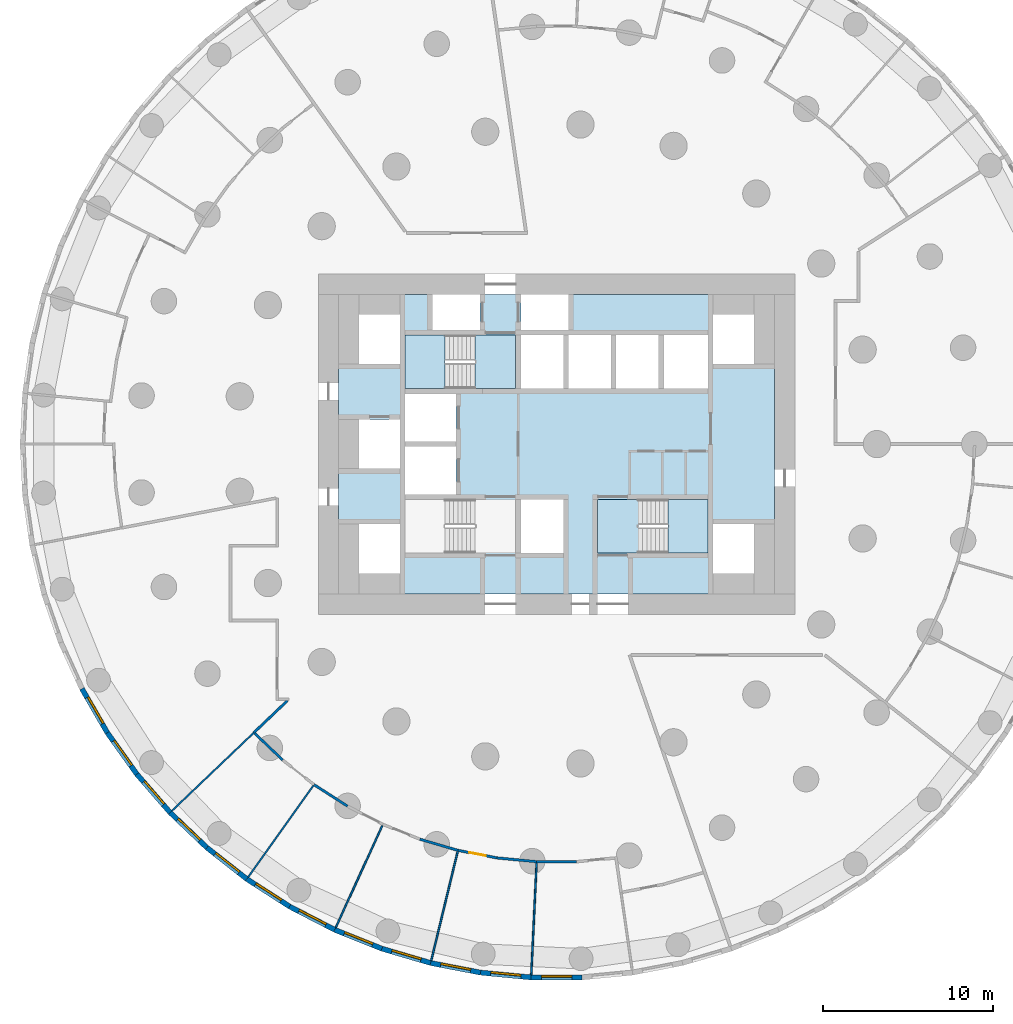
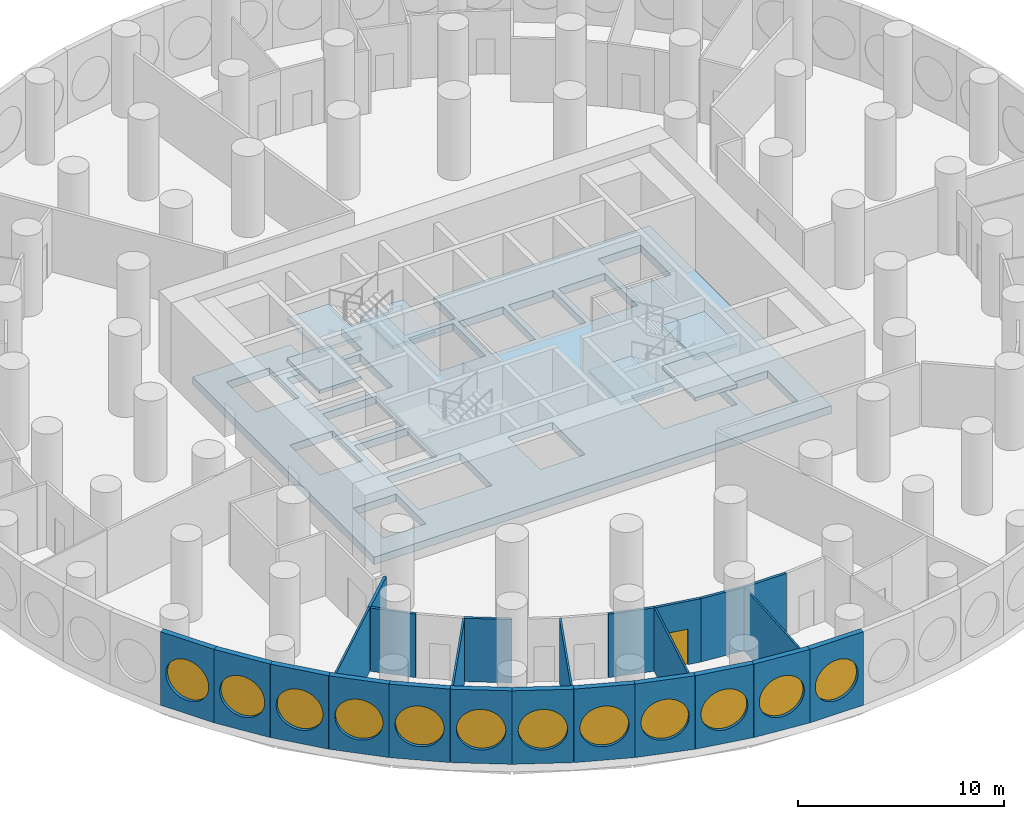
# One storey, part 2 of 11: 24 walls, 12 windows, 7 slabs, 1 door, 13 openings, 2 elements without a shape of their own.
"""IFC4 building model written with IfcOpenShell, lengths in metres."""

import ifcopenshell
import ifcopenshell.guid

model = None  # the IFC model being written
_history = None  # IfcOwnerHistory: only IFC2X3 demands one
_inside = {}  # id of a spatial element -> (the spatial element, [elements in it])
_under = {}  # id of a project, library or spatial element -> (it, [spatial elements below it])
_declared = {}  # id of a project -> (the project, [libraries it declares])
_typed = {}  # id of a type object -> (the type object, [elements of that type])
_made_of = {}  # id of a material, layer set ... -> (it, [elements and type objects made of it])


def new_model(schema):
    """Start an empty IFC model of exactly this schema.

    Asked for "IFC4X3", IfcOpenShell would pick the latest addendum, in which some entities
    have other attributes; the version numbers below select the first issue.
    IFC2X3 requires an IfcOwnerHistory on every rooted entity: one is made here for all.
    """
    global model, _history
    if schema == "IFC4X3":
        model = ifcopenshell.file(schema_version=(4, 3, 0, 0))
    else:
        model = ifcopenshell.file(schema=schema)
    _inside.clear()
    _under.clear()
    _declared.clear()
    _typed.clear()
    _made_of.clear()
    _history = None
    if model.schema == "IFC2X3":
        org = make("IfcOrganization", Name="unknown")
        user = make(
            "IfcPersonAndOrganization",
            ThePerson=make("IfcPerson", FamilyName="unknown"),
            TheOrganization=org,
        )
        app = make(
            "IfcApplication",
            ApplicationDeveloper=org,
            Version="unknown",
            ApplicationFullName="unknown",
            ApplicationIdentifier="unknown",
        )
        _history = make(
            "IfcOwnerHistory",
            OwningUser=user,
            OwningApplication=app,
            ChangeAction="ADDED",
            CreationDate=0,
        )
    return model


def make(cls, **values):
    """One entity of the class cls with the attributes given. An attribute that is None is left unset."""
    return model.create_entity(
        cls, **{name: value for name, value in values.items() if value is not None}
    )


def rooted(cls, **values):
    """An entity with a GlobalId (a new one), such as an element, a storey or a relation."""
    return make(cls, GlobalId=ifcopenshell.guid.new(), OwnerHistory=_history, **values)


def si_unit(unit_type, name, prefix=None):
    """IfcSIUnit, for example si_unit("LENGTHUNIT", "METRE", prefix="MILLI")."""
    return make("IfcSIUnit", UnitType=unit_type, Prefix=prefix, Name=name)


def assignment(units):
    """IfcUnitAssignment: the units of a project."""
    return None if units is None else make("IfcUnitAssignment", Units=units)


def point(xyz):
    """IfcCartesianPoint."""
    return None if xyz is None else make("IfcCartesianPoint", Coordinates=xyz)


def direction(xyz):
    """IfcDirection."""
    return None if xyz is None else make("IfcDirection", DirectionRatios=xyz)


def frame(location, z_axis=None, x_axis=None):
    """IfcAxis2Placement3D, a coordinate frame: its origin and axes. An axis left out is left unset."""
    return make(
        "IfcAxis2Placement3D",
        Location=point(location),
        Axis=direction(z_axis),
        RefDirection=direction(x_axis),
    )


def frame_2d(location, x_axis=None):
    """IfcAxis2Placement2D, a coordinate frame in the plane: its origin and x axis."""
    return make(
        "IfcAxis2Placement2D", Location=point(location), RefDirection=direction(x_axis)
    )


def origin():
    """The frame at (0, 0, 0) with its axes left unset."""
    return frame((0.0, 0.0, 0.0))


def origin_2d():
    """The frame at (0, 0) in the plane with its x axis left unset."""
    return frame_2d((0.0, 0.0))


def place(relative_to, where):
    """IfcLocalPlacement: puts the frame where relative to a parent placement (None: the world)."""
    return make(
        "IfcLocalPlacement", PlacementRelTo=relative_to, RelativePlacement=where
    )


def context(
    kind, dimensions, precision=None, world=None, true_north=None, identifier=None
):
    """IfcGeometricRepresentationContext, for example the 3D "Model" context."""
    return make(
        "IfcGeometricRepresentationContext",
        ContextIdentifier=identifier,
        ContextType=kind,
        CoordinateSpaceDimension=dimensions,
        Precision=precision,
        WorldCoordinateSystem=world,
        TrueNorth=true_north,
    )


def subcontext(parent, identifier, kind, view, scale=None):
    """IfcGeometricRepresentationSubContext, for example "Body" below "Model"."""
    return make(
        "IfcGeometricRepresentationSubContext",
        ContextIdentifier=identifier,
        ContextType=kind,
        ParentContext=parent,
        TargetScale=scale,
        TargetView=view,
    )


def project(units=None, contexts=None):
    """IfcProject with its units and contexts."""
    return rooted(
        "IfcProject",
        Name="project",
        RepresentationContexts=contexts,
        UnitsInContext=assignment(units),
    )


def spatial(cls, under=None, at=None, **own):
    """A site, building, storey or space (cls), placed at a placement, below another one or the project."""
    s = rooted(cls, ObjectPlacement=at, **own)
    if under is not None:
        _under.setdefault(under.id(), (under, []))[1].append(s)
    return s


def polyline(points):
    """IfcPolyline through the points."""
    return make("IfcPolyline", Points=[point(p) for p in points])


def profile(cls, at=None, kind="AREA", **sizes):
    """A parametric profile (cls). Its sizes go by their IFC names, for example OverallWidth=200.0."""
    return make(cls, ProfileType=kind, Position=at, **sizes)


def rectangle(**sizes):
    """IfcRectangleProfileDef."""
    return profile("IfcRectangleProfileDef", **sizes)


def circle(**sizes):
    """IfcCircleProfileDef."""
    return profile("IfcCircleProfileDef", **sizes)


def outline(outer, holes=None, kind="AREA"):
    """IfcArbitraryClosedProfileDef: a profile drawn as a closed curve; with holes, ...WithVoids."""
    if holes is None:
        return make("IfcArbitraryClosedProfileDef", ProfileType=kind, OuterCurve=outer)
    return make(
        "IfcArbitraryProfileDefWithVoids",
        ProfileType=kind,
        OuterCurve=outer,
        InnerCurves=holes,
    )


def extrude(swept, where, along, depth):
    """IfcExtrudedAreaSolid: the profile swept, set in the frame where, extruded along a direction by depth."""
    return make(
        "IfcExtrudedAreaSolid",
        SweptArea=swept,
        Position=where,
        ExtrudedDirection=direction(along),
        Depth=depth,
    )


def shape(context_of_items, identifier, shape_type, items):
    """IfcShapeRepresentation: the items that make up one representation, for example the "Body"."""
    return make(
        "IfcShapeRepresentation",
        ContextOfItems=context_of_items,
        RepresentationIdentifier=identifier,
        RepresentationType=shape_type,
        Items=items,
    )


def material(Name=None, Category=None):
    """IfcMaterial."""
    return make("IfcMaterial", Name=Name, Category=Category)


def layer(
    of_material, thickness, ventilated=None, Name=None, Category=None, Priority=None
):
    """IfcMaterialLayer: one layer of a wall or slab, of a material (None: an air gap)."""
    return make(
        "IfcMaterialLayer",
        Material=of_material,
        LayerThickness=thickness,
        IsVentilated=ventilated,
        Name=Name,
        Category=Category,
        Priority=Priority,
    )


def layer_set(layers, Name=None):
    """IfcMaterialLayerSet."""
    return make("IfcMaterialLayerSet", MaterialLayers=layers, LayerSetName=Name)


def made_of(thing, what):
    """Note that an element or type object is made of a material, layer set ...; save() writes the relation."""
    if what is not None:
        _made_of.setdefault(what.id(), (what, []))[1].append(thing)
    return thing


def type_object(cls, material=None, **own):
    """A type object (cls), such as IfcWallType, which elements share."""
    return made_of(rooted(cls, **own), material)


def element(
    cls,
    number,
    at=None,
    inside=None,
    cuts=None,
    type_object=None,
    material=None,
    context=None,
    identifier="Body",
    shape_type=None,
    held_by="IfcProductDefinitionShape",
    body=None,
    shapes=None,
    **own,
):
    """One element of the class cls, such as IfcWall. Its Tag is "e" and its number.

    at: its placement. inside: the storey or other place that contains it. cuts: it is an
    opening in that element (IfcRelVoidsElement). A single representation is given by context,
    identifier, shape_type and body (its items); several are given by shapes. held_by: the class
    of the entity that holds the representations. save() writes the other relations.
    """
    e = rooted(cls, Tag="e%d" % number, ObjectPlacement=at, **own)
    if body is not None:
        shapes = [shape(context, identifier, shape_type, body)]
    if shapes is not None:
        e.Representation = make(held_by, Representations=shapes)
    if inside is not None:
        _inside.setdefault(inside.id(), (inside, []))[1].append(e)
    if cuts is not None:
        rooted(
            "IfcRelVoidsElement", RelatingBuildingElement=cuts, RelatedOpeningElement=e
        )
    if type_object is not None:
        _typed.setdefault(type_object.id(), (type_object, []))[1].append(e)
    return made_of(e, material)


def fill(opening, filler):
    """IfcRelFillsElement: the door or window that sits in an opening."""
    return rooted(
        "IfcRelFillsElement",
        RelatingOpeningElement=opening,
        RelatedBuildingElement=filler,
    )


def aggregate(whole, parts):
    """IfcRelAggregates: a whole, such as a stair, and the parts it consists of."""
    return rooted("IfcRelAggregates", RelatingObject=whole, RelatedObjects=parts)


def save(model, path):
    """Write the relations noted so far, then the file.

    IfcRelAggregates (storeys below a building ...), IfcRelContainedInSpatialStructure (elements
    in a storey), IfcRelDefinesByType, IfcRelAssociatesMaterial and IfcRelDeclares: one each for
    every whole, place, type object, material and project.
    """
    for whole, parts in _under.values():
        aggregate(whole, parts)
    for where, things in _inside.values():
        rooted(
            "IfcRelContainedInSpatialStructure",
            RelatedElements=things,
            RelatingStructure=where,
        )
    for kind, things in _typed.values():
        rooted("IfcRelDefinesByType", RelatedObjects=things, RelatingType=kind)
    for what, things in _made_of.values():
        rooted("IfcRelAssociatesMaterial", RelatedObjects=things, RelatingMaterial=what)
    for by, libraries in _declared.values():
        rooted("IfcRelDeclares", RelatingContext=by, RelatedDefinitions=libraries)
    model.write(path)


model = new_model("IFC4")

# Units and contexts
model_context = context("Model", 3, precision=1e-05, world=origin(), true_north=direction((0.0, 1.0)))
body_context = subcontext(model_context, "Body", "Model", "MODEL_VIEW")
ifc_project = project(units=[si_unit("LENGTHUNIT", "METRE"), si_unit("AREAUNIT", "SQUARE_METRE"), si_unit("VOLUMEUNIT", "CUBIC_METRE"), si_unit("PLANEANGLEUNIT", "RADIAN"), si_unit("MASSUNIT", "GRAM", prefix="KILO")], contexts=[model_context])

# Site, building, storey
site_placement = place(None, origin())
site = spatial("IfcSite", under=ifc_project, at=site_placement, CompositionType="ELEMENT")
building_placement = place(site_placement, origin())
building = spatial("IfcBuilding", under=site, at=building_placement, Name="Tracery Tower", CompositionType="ELEMENT")
storey_placement = place(building_placement, frame((0.0, 0.0, 9.0)))
storey = spatial("IfcBuildingStorey", under=building, at=storey_placement, Name="L01", CompositionType="ELEMENT", Elevation=9.0)

# Slab
ifc_material_1 = material(Name="Concrete C60/75", Category="concrete")
ifc_layer_1 = layer(ifc_material_1, 0.449951171875)
ifc_layer_set_1 = layer_set([ifc_layer_1], Name="Core floor slab 450 C60")
slab_type_1 = type_object("IfcSlabType", Name="Core floor slab 450 C60", PredefinedType="FLOOR", material=ifc_layer_set_1)
slab_1_placement = place(storey_placement, frame((0.0, 0.0, -0.449951171875)))
element("IfcSlab", 1, at=slab_1_placement, inside=storey, type_object=slab_type_1, Name="L01 core floor 1", PredefinedType="FLOOR", context=body_context, shape_type="SweptSolid", body=[
    extrude(outline(polyline([(-12.800048828125, 8.800048828125), (-7.300048828125, 8.800048828125), (-7.300048828125, 6.699951171875), (-4.5, 6.699951171875), (-4.5, 8.800048828125), (-2.10009765625, 8.800048828125), (-2.10009765625, 6.699951171875), (0.699951171875, 6.699951171875), (0.699951171875, 8.800048828125), (12.800048828125, 8.800048828125), (12.800048828125, -8.800048828125), (-12.800048828125, -8.800048828125), (-12.800048828125, 8.800048828125)]), holes=[polyline([(11.60009765625, -7.60009765625), (11.60009765625, -4.699951171875), (9.199951171875, -4.699951171875), (9.199951171875, -7.60009765625), (11.60009765625, -7.60009765625)]), polyline([(11.60009765625, 4.699951171875), (11.60009765625, 7.60009765625), (9.199951171875, 7.60009765625), (9.199951171875, 4.699951171875), (11.60009765625, 4.699951171875)]), polyline([(4.800537109375, -3.25), (4.800537109375, -6.39990234375), (8.89990234375, -6.39990234375), (8.89990234375, -3.25), (4.800537109375, -3.25)]), polyline([(6.300048828125, 3.25), (8.89990234375, 3.25), (8.89990234375, 6.39990234375), (6.300048828125, 6.39990234375), (6.300048828125, 3.25)]), polyline([(3.5, 3.25), (6.0, 3.25), (6.0, 6.39990234375), (3.5, 6.39990234375), (3.5, 3.25)]), polyline([(3.199951171875, 3.25), (3.199951171875, 6.39990234375), (0.699951171875, 6.39990234375), (0.699951171875, 3.25), (3.199951171875, 3.25)]), polyline([(-2.10009765625, 3.25), (0.39990234375, 3.25), (0.39990234375, 6.39990234375), (-2.10009765625, 6.39990234375), (-2.10009765625, 3.25)]), polyline([(0.39990234375, -6.39990234375), (0.39990234375, -3.25), (-2.10009765625, -3.25), (-2.10009765625, -6.39990234375), (0.39990234375, -6.39990234375)]), polyline([(-4.800537109375, -3.25), (-8.89990234375, -3.25), (-8.89990234375, -6.39990234375), (-4.800537109375, -6.39990234375), (-4.800537109375, -3.25)]), polyline([(-4.800537109375, 6.39990234375), (-8.89990234375, 6.39990234375), (-8.89990234375, 3.25), (-4.800537109375, 3.25), (-4.800537109375, 6.39990234375)]), polyline([(-8.89990234375, -2.949951171875), (-5.89990234375, -2.949951171875), (-5.89990234375, -0.14990234375), (-8.89990234375, -0.14990234375), (-8.89990234375, -2.949951171875)]), polyline([(-5.89990234375, 0.14990234375), (-5.89990234375, 2.949951171875), (-8.89990234375, 2.949951171875), (-8.89990234375, 0.14990234375), (-5.89990234375, 0.14990234375)]), polyline([(-11.60009765625, 4.699951171875), (-9.199951171875, 4.699951171875), (-9.199951171875, 7.60009765625), (-11.60009765625, 7.60009765625), (-11.60009765625, 4.699951171875)]), polyline([(-9.199951171875, -7.60009765625), (-9.199951171875, -4.699951171875), (-11.60009765625, -4.699951171875), (-11.60009765625, -7.60009765625), (-9.199951171875, -7.60009765625)]), polyline([(-9.199951171875, -1.449951171875), (-9.199951171875, 1.449951171875), (-11.60009765625, 1.449951171875), (-11.60009765625, -1.449951171875), (-9.199951171875, -1.449951171875)])]), origin(), (0.0, 0.0, 1.0), 0.449951171875),
])

# Stair, slabs
ifc_material_2 = material(Name="Concrete C32/40", Category="concrete")
stair_type = type_object("IfcStairType", Name="Core stair 32 risers", PredefinedType="HALF_TURN_STAIR", material=ifc_material_2)
stair_1_placement = place(storey_placement, origin())
stair_1 = element("IfcStair", 2, at=stair_1_placement, inside=storey, type_object=stair_type, Name="L01 stair ST3", PredefinedType="HALF_TURN_STAIR")
ifc_material_3 = material(Name="Concrete C32/40", Category="concrete")
ifc_layer_2 = layer(ifc_material_3, 0.199951171875)
ifc_layer_set_2 = layer_set([ifc_layer_2], Name="Stair landing slab 200")
slab_type_2 = type_object("IfcSlabType", Name="Stair landing slab 200", PredefinedType="LANDING", material=ifc_layer_set_2)
slab_2_placement = place(storey_placement, frame((0.0, 0.0, 1.0)))
slab_2 = element("IfcSlab", 3, at=slab_2_placement, type_object=slab_type_2, Name="ST3 landing 1", PredefinedType="LANDING", context=body_context, shape_type="SweptSolid", body=[
    extrude(outline(polyline([(-6.54931640625, 6.39990234375), (-8.89990234375, 6.39990234375), (-8.89990234375, 3.25), (-6.54931640625, 3.25), (-6.54931640625, 6.39990234375)])), origin(), (0.0, 0.0, 1.0), 0.199951171875),
])
slab_3_placement = place(storey_placement, frame((0.0, 0.0, 2.199951171875)))
slab_3 = element("IfcSlab", 4, at=slab_3_placement, type_object=slab_type_2, Name="ST3 landing 2", PredefinedType="LANDING", context=body_context, shape_type="SweptSolid", body=[
    extrude(outline(polyline([(-2.39990234375, 6.39990234375), (-4.800537109375, 6.39990234375), (-4.800537109375, 3.25), (-2.39990234375, 3.25), (-2.39990234375, 6.39990234375)])), origin(), (0.0, 0.0, 1.0), 0.199951171875),
])
slab_4_placement = place(storey_placement, frame((0.0, 0.0, 3.39990234375)))
slab_4 = element("IfcSlab", 5, at=slab_4_placement, type_object=slab_type_2, Name="ST3 landing 3", PredefinedType="LANDING", context=body_context, shape_type="SweptSolid", body=[
    extrude(outline(polyline([(-6.54931640625, 6.39990234375), (-8.89990234375, 6.39990234375), (-8.89990234375, 3.25), (-6.54931640625, 3.25), (-6.54931640625, 6.39990234375)])), origin(), (0.0, 0.0, 1.0), 0.2001953125),
])
aggregate(stair_1, [slab_2, slab_3, slab_4])

stair_2_placement = place(storey_placement, origin())
stair_2 = element("IfcStair", 6, at=stair_2_placement, inside=storey, type_object=stair_type, Name="L01 stair ST2", PredefinedType="HALF_TURN_STAIR")
slab_5_placement = place(storey_placement, frame((0.0, 0.0, 1.0)))
slab_5 = element("IfcSlab", 7, at=slab_5_placement, type_object=slab_type_2, Name="ST2 landing 1", PredefinedType="LANDING", context=body_context, shape_type="SweptSolid", body=[
    extrude(outline(polyline([(6.54931640625, -6.39990234375), (8.89990234375, -6.39990234375), (8.89990234375, -3.25), (6.54931640625, -3.25), (6.54931640625, -6.39990234375)])), origin(), (0.0, 0.0, 1.0), 0.199951171875),
])
slab_6_placement = place(storey_placement, frame((0.0, 0.0, 2.199951171875)))
slab_6 = element("IfcSlab", 8, at=slab_6_placement, type_object=slab_type_2, Name="ST2 landing 2", PredefinedType="LANDING", context=body_context, shape_type="SweptSolid", body=[
    extrude(outline(polyline([(2.39990234375, -6.39990234375), (4.800537109375, -6.39990234375), (4.800537109375, -3.25), (2.39990234375, -3.25), (2.39990234375, -6.39990234375)])), origin(), (0.0, 0.0, 1.0), 0.199951171875),
])
slab_7_placement = place(storey_placement, frame((0.0, 0.0, 3.39990234375)))
slab_7 = element("IfcSlab", 9, at=slab_7_placement, type_object=slab_type_2, Name="ST2 landing 3", PredefinedType="LANDING", context=body_context, shape_type="SweptSolid", body=[
    extrude(outline(polyline([(6.54931640625, -6.39990234375), (8.89990234375, -6.39990234375), (8.89990234375, -3.25), (6.54931640625, -3.25), (6.54931640625, -6.39990234375)])), origin(), (0.0, 0.0, 1.0), 0.2001953125),
])
aggregate(stair_2, [slab_5, slab_6, slab_7])

# Walls
ifc_material_4 = material(Name="Plasterboard on steel studs", Category="steel")
ifc_layer_3 = layer(ifc_material_4, 0.14990234375)
ifc_layer_set_3 = layer_set([ifc_layer_3], Name="Corridor partition 150")
wall_type_1 = type_object("IfcWallType", Name="Corridor partition 150", PredefinedType="PARTITIONING", material=ifc_layer_set_3)
wall_1_placement = place(storey_placement, frame((-17.7255859375, -17.0048828125, 0.0), z_axis=(0.0, 0.0, 1.0), x_axis=(0.723737544967, -0.690075333573, 0.0)))
element("IfcWall", 10, at=wall_1_placement, inside=storey, type_object=wall_type_1, Name="Corridor partition 150", PredefinedType="PARTITIONING", context=body_context, shape_type="SweptSolid", body=[
    extrude(rectangle(XDim=2.262939453125, YDim=0.14990234375, at=frame_2d((1.13134765625, 0.0))), origin(), (0.0, 0.0, 1.0), 3.75),
])
wall_2_placement = place(storey_placement, frame((-17.77978515625, -16.952880859375, 0.0), z_axis=(0.0, 0.0, 1.0), x_axis=(0.723749021552, 0.690063296954, 0.0)))
element("IfcWall", 11, at=wall_2_placement, inside=storey, type_object=wall_type_1, Name="Corridor partition 150", PredefinedType="PARTITIONING", context=body_context, shape_type="SweptSolid", body=[
    extrude(rectangle(XDim=2.7177734375, YDim=0.14990234375, at=frame_2d((1.35888671875, 0.0))), origin(), (0.0, 0.0, 1.0), 3.75),
])
wall_3_placement = place(storey_placement, frame((-14.25, -20.011474609375, 0.0), z_axis=(0.0, 0.0, 1.0), x_axis=(0.841236155743, -0.540667855777, 0.0)))
element("IfcWall", 12, at=wall_3_placement, inside=storey, type_object=wall_type_1, Name="Corridor partition 150", PredefinedType="PARTITIONING", context=body_context, shape_type="SweptSolid", body=[
    extrude(rectangle(XDim=2.337646484375, YDim=0.14990234375, at=frame_2d((1.1689453125, 0.0))), origin(), (0.0, 0.0, 1.0), 3.75),
])
wall_4_placement = place(storey_placement, frame((-8.034912109375, -23.215576171875, 0.0), z_axis=(0.0, 0.0, 1.0), x_axis=(0.959488462959, -0.28174791827, 0.0)))
element("IfcWall", 13, at=wall_4_placement, inside=storey, type_object=wall_type_1, Name="Corridor partition 150", PredefinedType="PARTITIONING", context=body_context, shape_type="SweptSolid", body=[
    extrude(rectangle(XDim=2.337890625, YDim=0.14990234375, at=frame_2d((1.1689453125, 0.0))), origin(), (0.0, 0.0, 1.0), 3.75),
])

# Wall, opening, door
wall_5_placement = place(storey_placement, frame((-3.49609375, -24.316650390625, 0.0), z_axis=(0.0, 0.0, 1.0), x_axis=(-0.981934124814, 0.189223081374, 0.0)))
wall_5 = element("IfcWall", 14, at=wall_5_placement, inside=storey, type_object=wall_type_1, Name="Corridor partition 150", PredefinedType="PARTITIONING", context=body_context, shape_type="SweptSolid", body=[
    extrude(rectangle(XDim=2.337890625, YDim=0.14990234375, at=frame_2d((1.1689453125, 0.0))), origin(), (0.0, 0.0, 1.0), 3.75),
])
opening_1_placement = place(wall_5_placement, frame((0.6689453125, 0.0, 0.0)))
opening_1 = element("IfcOpeningElement", 15, at=opening_1_placement, cuts=wall_5, Name="Opening SB-L01-21", PredefinedType="OPENING", context=body_context, shape_type="SweptSolid", body=[
    extrude(rectangle(XDim=1.0, YDim=2.10009765625, at=frame_2d((0.5, 1.050048828125))), frame((0.0, 0.074951171875, 0.0), z_axis=(0.0, -1.0, 0.0), x_axis=(1.0, 0.0, 0.0)), (0.0, 0.0, 1.0), 0.14990234375),
])
ifc_material_5 = material(Name="Timber door leaf", Category="wood")
door_type = type_object("IfcDoorType", Name="Public room door 1000", OperationType="NOTDEFINED", PredefinedType="DOOR", material=ifc_material_5)
door_placement = place(opening_1_placement, origin())
door = element("IfcDoor", 16, at=door_placement, inside=storey, type_object=door_type, Name="Public room door 1000", OperationType="SINGLE_SWING_RIGHT", OverallHeight=2.10009765625, OverallWidth=1.0, PredefinedType="DOOR", context=body_context, shape_type="SweptSolid", body=[
    extrude(rectangle(XDim=1.0, YDim=2.10009765625, at=frame_2d((0.5, 1.050048828125))), frame((0.0, 0.02490234375, 0.0), z_axis=(0.0, -1.0, 0.0), x_axis=(1.0, 0.0, 0.0)), (0.0, 0.0, 1.0), 0.050048828125),
])
fill(opening_1, door)

# Walls
wall_6_placement = place(storey_placement, frame((-3.49609375, -24.316650390625, 0.0), z_axis=(0.0, 0.0, 1.0), x_axis=(0.995473855736, -0.095035796131, 0.0)))
element("IfcWall", 17, at=wall_6_placement, inside=storey, type_object=wall_type_1, Name="Corridor partition 150", PredefinedType="PARTITIONING", context=body_context, shape_type="SweptSolid", body=[
    extrude(rectangle(XDim=2.337646484375, YDim=0.14990234375, at=frame_2d((1.1689453125, 0.0))), origin(), (0.0, 0.0, 1.0), 3.75),
])
wall_7_placement = place(storey_placement, frame((-1.1689453125, -24.538818359375, 0.0), z_axis=(0.0, 0.0, 1.0), x_axis=(1.0, 0.0, 0.0)))
element("IfcWall", 18, at=wall_7_placement, inside=storey, type_object=wall_type_1, Name="Corridor partition 150", PredefinedType="PARTITIONING", context=body_context, shape_type="SweptSolid", body=[
    extrude(rectangle(XDim=2.337890625, YDim=0.14990234375, at=frame_2d((1.1689453125, 0.0))), origin(), (0.0, 0.0, 1.0), 3.75),
])

# Wall, opening, window
ifc_material_6 = material(Name="Precast concrete C50/60", Category="concrete")
ifc_layer_4 = layer(ifc_material_6, 0.300048828125)
ifc_layer_set_4 = layer_set([ifc_layer_4], Name="Facade panel 3000 x 4350")
wall_type_2 = type_object("IfcWallType", Name="Facade panel 3000 x 4350", PredefinedType="SOLIDWALL", material=ifc_layer_set_4)
wall_8_placement = place(storey_placement, frame((-27.88671875, -14.376708984375, 0.0), z_axis=(0.0, 0.0, 1.0), x_axis=(0.500017373705, -0.866015372839, 0.0)))
wall_8 = element("IfcWall", 19, at=wall_8_placement, inside=storey, type_object=wall_type_2, Name="Facade panel 39 at L01", PredefinedType="SOLIDWALL", context=body_context, shape_type="SweptSolid", body=[
    extrude(rectangle(XDim=2.98583984375, YDim=0.300048828125, at=frame_2d((1.492919921875, 0.0))), origin(), (0.0, 0.0, 1.0), 4.35009765625),
])
opening_2_placement = place(wall_8_placement, frame((1.492919921875, 0.0, 2.0)))
opening_2 = element("IfcOpeningElement", 20, at=opening_2_placement, cuts=wall_8, Name="Opening WN2", PredefinedType="OPENING", context=body_context, shape_type="SweptSolid", body=[
    extrude(circle(Radius=1.199951171875, at=origin_2d()), frame((0.0, 0.159912109375, 0.0), z_axis=(0.0, -1.0, 0.0), x_axis=(1.0, 0.0, 0.0)), (0.0, 0.0, 1.0), 0.320068359375),
])
ifc_material_7 = material(Name="Aluminium frame with tinted double glazing", Category="aluminium")
window_type = type_object("IfcWindowType", Name="Round window 2400", PartitioningType="SINGLE_PANEL", PredefinedType="WINDOW", material=ifc_material_7)
window_1_placement = place(opening_2_placement, origin())
window_1 = element("IfcWindow", 21, at=window_1_placement, inside=storey, type_object=window_type, Name="Round window 39 at L01", OverallHeight=2.39990234375, OverallWidth=2.39990234375, PartitioningType="SINGLE_PANEL", PredefinedType="WINDOW", context=body_context, shape_type="SweptSolid", body=[
    extrude(circle(Radius=1.199951171875, at=origin_2d()), frame((0.0, 0.1201171875, 0.0), z_axis=(0.0, -1.0, 0.0), x_axis=(1.0, 0.0, 0.0)), (0.0, 0.0, 1.0), 0.10009765625),
])
fill(opening_2, window_1)

wall_9_placement = place(storey_placement, frame((-26.393798828125, -16.96240234375, 0.0), z_axis=(0.0, 0.0, 1.0), x_axis=(0.580100533892, -0.814544885551, 0.0)))
wall_9 = element("IfcWall", 22, at=wall_9_placement, inside=storey, type_object=wall_type_2, Name="Facade panel 40 at L01", PredefinedType="SOLIDWALL", context=body_context, shape_type="SweptSolid", body=[
    extrude(rectangle(XDim=2.985595703125, YDim=0.300048828125, at=frame_2d((1.49267578125, 0.0))), origin(), (0.0, 0.0, 1.0), 4.35009765625),
])
opening_3_placement = place(wall_9_placement, frame((1.492919921875, 0.0, 2.0)))
opening_3 = element("IfcOpeningElement", 23, at=opening_3_placement, cuts=wall_9, Name="Opening WN2", PredefinedType="OPENING", context=body_context, shape_type="SweptSolid", body=[
    extrude(circle(Radius=1.199951171875, at=origin_2d()), frame((0.0, 0.159912109375, 0.0), z_axis=(0.0, -1.0, 0.0), x_axis=(1.0, 0.0, 0.0)), (0.0, 0.0, 1.0), 0.320068359375),
])
window_2_placement = place(opening_3_placement, origin())
window_2 = element("IfcWindow", 24, at=window_2_placement, inside=storey, type_object=window_type, Name="Round window 40 at L01", OverallHeight=2.39990234375, OverallWidth=2.39990234375, PartitioningType="SINGLE_PANEL", PredefinedType="WINDOW", context=body_context, shape_type="SweptSolid", body=[
    extrude(circle(Radius=1.199951171875, at=origin_2d()), frame((0.0, 0.1201171875, 0.0), z_axis=(0.0, -1.0, 0.0), x_axis=(1.0, 0.0, 0.0)), (0.0, 0.0, 1.0), 0.10009765625),
])
fill(opening_3, window_2)

wall_10_placement = place(storey_placement, frame((-24.661865234375, -19.394287109375, 0.0), z_axis=(0.0, 0.0, 1.0), x_axis=(0.654809121128, -0.755794294029, 0.0)))
wall_10 = element("IfcWall", 25, at=wall_10_placement, inside=storey, type_object=wall_type_2, Name="Facade panel 41 at L01", PredefinedType="SOLIDWALL", context=body_context, shape_type="SweptSolid", body=[
    extrude(rectangle(XDim=2.98583984375, YDim=0.300048828125, at=frame_2d((1.492919921875, 0.0))), origin(), (0.0, 0.0, 1.0), 4.35009765625),
])
opening_4_placement = place(wall_10_placement, frame((1.492919921875, 0.0, 2.0)))
opening_4 = element("IfcOpeningElement", 26, at=opening_4_placement, cuts=wall_10, Name="Opening WN2", PredefinedType="OPENING", context=body_context, shape_type="SweptSolid", body=[
    extrude(circle(Radius=1.199951171875, at=origin_2d()), frame((0.0, 0.159912109375, 0.0), z_axis=(0.0, -1.0, 0.0), x_axis=(1.0, 0.0, 0.0)), (0.0, 0.0, 1.0), 0.320068359375),
])
window_3_placement = place(opening_4_placement, origin())
window_3 = element("IfcWindow", 27, at=window_3_placement, inside=storey, type_object=window_type, Name="Round window 41 at L01", OverallHeight=2.39990234375, OverallWidth=2.39990234375, PartitioningType="SINGLE_PANEL", PredefinedType="WINDOW", context=body_context, shape_type="SweptSolid", body=[
    extrude(circle(Radius=1.199951171875, at=origin_2d()), frame((0.0, 0.1201171875, 0.0), z_axis=(0.0, -1.0, 0.0), x_axis=(1.0, 0.0, 0.0)), (0.0, 0.0, 1.0), 0.10009765625),
])
fill(opening_4, window_3)

wall_11_placement = place(storey_placement, frame((-22.706787109375, -21.65087890625, 0.0), z_axis=(0.0, 0.0, 1.0), x_axis=(0.723750841228, -0.690061388444, 0.0)))
wall_11 = element("IfcWall", 28, at=wall_11_placement, inside=storey, type_object=wall_type_2, Name="Facade panel 42 at L01", PredefinedType="SOLIDWALL", context=body_context, shape_type="SweptSolid", body=[
    extrude(rectangle(XDim=2.985595703125, YDim=0.300048828125, at=frame_2d((1.49267578125, 0.0))), origin(), (0.0, 0.0, 1.0), 4.35009765625),
])
opening_5_placement = place(wall_11_placement, frame((1.492919921875, 0.0, 2.0)))
opening_5 = element("IfcOpeningElement", 29, at=opening_5_placement, cuts=wall_11, Name="Opening WN2", PredefinedType="OPENING", context=body_context, shape_type="SweptSolid", body=[
    extrude(circle(Radius=1.199951171875, at=origin_2d()), frame((0.0, 0.159912109375, 0.0), z_axis=(0.0, -1.0, 0.0), x_axis=(1.0, 0.0, 0.0)), (0.0, 0.0, 1.0), 0.320068359375),
])
window_4_placement = place(opening_5_placement, origin())
window_4 = element("IfcWindow", 30, at=window_4_placement, inside=storey, type_object=window_type, Name="Round window 42 at L01", OverallHeight=2.39990234375, OverallWidth=2.39990234375, PartitioningType="SINGLE_PANEL", PredefinedType="WINDOW", context=body_context, shape_type="SweptSolid", body=[
    extrude(circle(Radius=1.199951171875, at=origin_2d()), frame((0.0, 0.1201171875, 0.0), z_axis=(0.0, -1.0, 0.0), x_axis=(1.0, 0.0, 0.0)), (0.0, 0.0, 1.0), 0.10009765625),
])
fill(opening_5, window_4)

wall_12_placement = place(storey_placement, frame((-20.5458984375, -23.711181640625, 0.0), z_axis=(0.0, 0.0, 1.0), x_axis=(0.786043032847, -0.618171780747, 0.0)))
wall_12 = element("IfcWall", 31, at=wall_12_placement, inside=storey, type_object=wall_type_2, Name="Facade panel 43 at L01", PredefinedType="SOLIDWALL", context=body_context, shape_type="SweptSolid", body=[
    extrude(rectangle(XDim=2.98583984375, YDim=0.300048828125, at=frame_2d((1.492919921875, 0.0))), origin(), (0.0, 0.0, 1.0), 4.35009765625),
])
opening_6_placement = place(wall_12_placement, frame((1.492919921875, 0.0, 2.0)))
opening_6 = element("IfcOpeningElement", 32, at=opening_6_placement, cuts=wall_12, Name="Opening WN2", PredefinedType="OPENING", context=body_context, shape_type="SweptSolid", body=[
    extrude(circle(Radius=1.199951171875, at=origin_2d()), frame((0.0, 0.159912109375, 0.0), z_axis=(0.0, -1.0, 0.0), x_axis=(1.0, 0.0, 0.0)), (0.0, 0.0, 1.0), 0.320068359375),
])
window_5_placement = place(opening_6_placement, origin())
window_5 = element("IfcWindow", 33, at=window_5_placement, inside=storey, type_object=window_type, Name="Round window 43 at L01", OverallHeight=2.39990234375, OverallWidth=2.39990234375, PartitioningType="SINGLE_PANEL", PredefinedType="WINDOW", context=body_context, shape_type="SweptSolid", body=[
    extrude(circle(Radius=1.199951171875, at=origin_2d()), frame((0.0, 0.1201171875, 0.0), z_axis=(0.0, -1.0, 0.0), x_axis=(1.0, 0.0, 0.0)), (0.0, 0.0, 1.0), 0.10009765625),
])
fill(opening_6, window_5)

wall_13_placement = place(storey_placement, frame((-18.198974609375, -25.556884765625, 0.0), z_axis=(0.0, 0.0, 1.0), x_axis=(0.841242231846, -0.540658401727, 0.0)))
wall_13 = element("IfcWall", 34, at=wall_13_placement, inside=storey, type_object=wall_type_2, Name="Facade panel 44 at L01", PredefinedType="SOLIDWALL", context=body_context, shape_type="SweptSolid", body=[
    extrude(rectangle(XDim=2.98583984375, YDim=0.300048828125, at=frame_2d((1.492919921875, 0.0))), origin(), (0.0, 0.0, 1.0), 4.35009765625),
])
opening_7_placement = place(wall_13_placement, frame((1.492919921875, 0.0, 2.0)))
opening_7 = element("IfcOpeningElement", 35, at=opening_7_placement, cuts=wall_13, Name="Opening WN2", PredefinedType="OPENING", context=body_context, shape_type="SweptSolid", body=[
    extrude(circle(Radius=1.199951171875, at=origin_2d()), frame((0.0, 0.159912109375, 0.0), z_axis=(0.0, -1.0, 0.0), x_axis=(1.0, 0.0, 0.0)), (0.0, 0.0, 1.0), 0.320068359375),
])
window_6_placement = place(opening_7_placement, origin())
window_6 = element("IfcWindow", 36, at=window_6_placement, inside=storey, type_object=window_type, Name="Round window 44 at L01", OverallHeight=2.39990234375, OverallWidth=2.39990234375, PartitioningType="SINGLE_PANEL", PredefinedType="WINDOW", context=body_context, shape_type="SweptSolid", body=[
    extrude(circle(Radius=1.199951171875, at=origin_2d()), frame((0.0, 0.1201171875, 0.0), z_axis=(0.0, -1.0, 0.0), x_axis=(1.0, 0.0, 0.0)), (0.0, 0.0, 1.0), 0.10009765625),
])
fill(opening_7, window_6)

wall_14_placement = place(storey_placement, frame((-15.687255859375, -27.171142578125, 0.0), z_axis=(0.0, 0.0, 1.0), x_axis=(0.888831268481, -0.458234630043, 0.0)))
wall_14 = element("IfcWall", 37, at=wall_14_placement, inside=storey, type_object=wall_type_2, Name="Facade panel 45 at L01", PredefinedType="SOLIDWALL", context=body_context, shape_type="SweptSolid", body=[
    extrude(rectangle(XDim=2.98583984375, YDim=0.300048828125, at=frame_2d((1.492919921875, 0.0))), origin(), (0.0, 0.0, 1.0), 4.35009765625),
])
opening_8_placement = place(wall_14_placement, frame((1.492919921875, 0.0, 2.0)))
opening_8 = element("IfcOpeningElement", 38, at=opening_8_placement, cuts=wall_14, Name="Opening WN2", PredefinedType="OPENING", context=body_context, shape_type="SweptSolid", body=[
    extrude(circle(Radius=1.199951171875, at=origin_2d()), frame((0.0, 0.159912109375, 0.0), z_axis=(0.0, -1.0, 0.0), x_axis=(1.0, 0.0, 0.0)), (0.0, 0.0, 1.0), 0.320068359375),
])
window_7_placement = place(opening_8_placement, origin())
window_7 = element("IfcWindow", 39, at=window_7_placement, inside=storey, type_object=window_type, Name="Round window 45 at L01", OverallHeight=2.39990234375, OverallWidth=2.39990234375, PartitioningType="SINGLE_PANEL", PredefinedType="WINDOW", context=body_context, shape_type="SweptSolid", body=[
    extrude(circle(Radius=1.199951171875, at=origin_2d()), frame((0.0, 0.1201171875, 0.0), z_axis=(0.0, -1.0, 0.0), x_axis=(1.0, 0.0, 0.0)), (0.0, 0.0, 1.0), 0.10009765625),
])
fill(opening_8, window_7)

wall_15_placement = place(storey_placement, frame((-13.033447265625, -28.539306640625, 0.0), z_axis=(0.0, 0.0, 1.0), x_axis=(0.928380795373, -0.371630325434, 0.0)))
wall_15 = element("IfcWall", 40, at=wall_15_placement, inside=storey, type_object=wall_type_2, Name="Facade panel 46 at L01", PredefinedType="SOLIDWALL", context=body_context, shape_type="SweptSolid", body=[
    extrude(rectangle(XDim=2.98583984375, YDim=0.300048828125, at=frame_2d((1.492919921875, 0.0))), origin(), (0.0, 0.0, 1.0), 4.35009765625),
])
opening_9_placement = place(wall_15_placement, frame((1.492919921875, 0.0, 2.0)))
opening_9 = element("IfcOpeningElement", 41, at=opening_9_placement, cuts=wall_15, Name="Opening WN2", PredefinedType="OPENING", context=body_context, shape_type="SweptSolid", body=[
    extrude(circle(Radius=1.199951171875, at=origin_2d()), frame((0.0, 0.159912109375, 0.0), z_axis=(0.0, -1.0, 0.0), x_axis=(1.0, 0.0, 0.0)), (0.0, 0.0, 1.0), 0.320068359375),
])
window_8_placement = place(opening_9_placement, origin())
window_8 = element("IfcWindow", 42, at=window_8_placement, inside=storey, type_object=window_type, Name="Round window 46 at L01", OverallHeight=2.39990234375, OverallWidth=2.39990234375, PartitioningType="SINGLE_PANEL", PredefinedType="WINDOW", context=body_context, shape_type="SweptSolid", body=[
    extrude(circle(Radius=1.199951171875, at=origin_2d()), frame((0.0, 0.1201171875, 0.0), z_axis=(0.0, -1.0, 0.0), x_axis=(1.0, 0.0, 0.0)), (0.0, 0.0, 1.0), 0.10009765625),
])
fill(opening_9, window_8)

wall_16_placement = place(storey_placement, frame((-10.261474609375, -29.64892578125, 0.0), z_axis=(0.0, 0.0, 1.0), x_axis=(0.959502108153, -0.281701445593, 0.0)))
wall_16 = element("IfcWall", 43, at=wall_16_placement, inside=storey, type_object=wall_type_2, Name="Facade panel 47 at L01", PredefinedType="SOLIDWALL", context=body_context, shape_type="SweptSolid", body=[
    extrude(rectangle(XDim=2.985595703125, YDim=0.300048828125, at=frame_2d((1.49267578125, 0.0))), origin(), (0.0, 0.0, 1.0), 4.35009765625),
])
opening_10_placement = place(wall_16_placement, frame((1.492919921875, 0.0, 2.0)))
opening_10 = element("IfcOpeningElement", 44, at=opening_10_placement, cuts=wall_16, Name="Opening WN2", PredefinedType="OPENING", context=body_context, shape_type="SweptSolid", body=[
    extrude(circle(Radius=1.199951171875, at=origin_2d()), frame((0.0, 0.159912109375, 0.0), z_axis=(0.0, -1.0, 0.0), x_axis=(1.0, 0.0, 0.0)), (0.0, 0.0, 1.0), 0.320068359375),
])
window_9_placement = place(opening_10_placement, origin())
window_9 = element("IfcWindow", 45, at=window_9_placement, inside=storey, type_object=window_type, Name="Round window 47 at L01", OverallHeight=2.39990234375, OverallWidth=2.39990234375, PartitioningType="SINGLE_PANEL", PredefinedType="WINDOW", context=body_context, shape_type="SweptSolid", body=[
    extrude(circle(Radius=1.199951171875, at=origin_2d()), frame((0.0, 0.1201171875, 0.0), z_axis=(0.0, -1.0, 0.0), x_axis=(1.0, 0.0, 0.0)), (0.0, 0.0, 1.0), 0.10009765625),
])
fill(opening_10, window_9)

wall_17_placement = place(storey_placement, frame((-7.396728515625, -30.489990234375, 0.0), z_axis=(0.0, 0.0, 1.0), x_axis=(0.981918853666, -0.189302310646, 0.0)))
wall_17 = element("IfcWall", 46, at=wall_17_placement, inside=storey, type_object=wall_type_2, Name="Facade panel 48 at L01", PredefinedType="SOLIDWALL", context=body_context, shape_type="SweptSolid", body=[
    extrude(rectangle(XDim=2.985595703125, YDim=0.300048828125, at=frame_2d((1.49267578125, 0.0))), origin(), (0.0, 0.0, 1.0), 4.35009765625),
])
opening_11_placement = place(wall_17_placement, frame((1.492919921875, 0.0, 2.0)))
opening_11 = element("IfcOpeningElement", 47, at=opening_11_placement, cuts=wall_17, Name="Opening WN2", PredefinedType="OPENING", context=body_context, shape_type="SweptSolid", body=[
    extrude(circle(Radius=1.199951171875, at=origin_2d()), frame((0.0, 0.159912109375, 0.0), z_axis=(0.0, -1.0, 0.0), x_axis=(1.0, 0.0, 0.0)), (0.0, 0.0, 1.0), 0.320068359375),
])
window_10_placement = place(opening_11_placement, origin())
window_10 = element("IfcWindow", 48, at=window_10_placement, inside=storey, type_object=window_type, Name="Round window 48 at L01", OverallHeight=2.39990234375, OverallWidth=2.39990234375, PartitioningType="SINGLE_PANEL", PredefinedType="WINDOW", context=body_context, shape_type="SweptSolid", body=[
    extrude(circle(Radius=1.199951171875, at=origin_2d()), frame((0.0, 0.1201171875, 0.0), z_axis=(0.0, -1.0, 0.0), x_axis=(1.0, 0.0, 0.0)), (0.0, 0.0, 1.0), 0.10009765625),
])
fill(opening_11, window_10)

wall_18_placement = place(storey_placement, frame((-4.465087890625, -31.05517578125, 0.0), z_axis=(0.0, 0.0, 1.0), x_axis=(0.99547560533, -0.095017467833, 0.0)))
wall_18 = element("IfcWall", 49, at=wall_18_placement, inside=storey, type_object=wall_type_2, Name="Facade panel 49 at L01", PredefinedType="SOLIDWALL", context=body_context, shape_type="SweptSolid", body=[
    extrude(rectangle(XDim=2.985595703125, YDim=0.300048828125, at=frame_2d((1.49267578125, 0.0))), origin(), (0.0, 0.0, 1.0), 4.35009765625),
])
opening_12_placement = place(wall_18_placement, frame((1.492919921875, 0.0, 2.0)))
opening_12 = element("IfcOpeningElement", 50, at=opening_12_placement, cuts=wall_18, Name="Opening WN2", PredefinedType="OPENING", context=body_context, shape_type="SweptSolid", body=[
    extrude(circle(Radius=1.199951171875, at=origin_2d()), frame((0.0, 0.159912109375, 0.0), z_axis=(0.0, -1.0, 0.0), x_axis=(1.0, 0.0, 0.0)), (0.0, 0.0, 1.0), 0.320068359375),
])
window_11_placement = place(opening_12_placement, origin())
window_11 = element("IfcWindow", 51, at=window_11_placement, inside=storey, type_object=window_type, Name="Round window 49 at L01", OverallHeight=2.39990234375, OverallWidth=2.39990234375, PartitioningType="SINGLE_PANEL", PredefinedType="WINDOW", context=body_context, shape_type="SweptSolid", body=[
    extrude(circle(Radius=1.199951171875, at=origin_2d()), frame((0.0, 0.1201171875, 0.0), z_axis=(0.0, -1.0, 0.0), x_axis=(1.0, 0.0, 0.0)), (0.0, 0.0, 1.0), 0.10009765625),
])
fill(opening_12, window_11)

wall_19_placement = place(storey_placement, frame((-1.492919921875, -31.3388671875, 0.0), z_axis=(0.0, 0.0, 1.0), x_axis=(1.0, 0.0, 0.0)))
wall_19 = element("IfcWall", 52, at=wall_19_placement, inside=storey, type_object=wall_type_2, Name="Facade panel 50 at L01", PredefinedType="SOLIDWALL", context=body_context, shape_type="SweptSolid", body=[
    extrude(rectangle(XDim=2.98583984375, YDim=0.300048828125, at=frame_2d((1.492919921875, 0.0))), origin(), (0.0, 0.0, 1.0), 4.35009765625),
])
opening_13_placement = place(wall_19_placement, frame((1.492919921875, 0.0, 2.0)))
opening_13 = element("IfcOpeningElement", 53, at=opening_13_placement, cuts=wall_19, Name="Opening WN2", PredefinedType="OPENING", context=body_context, shape_type="SweptSolid", body=[
    extrude(circle(Radius=1.199951171875, at=origin_2d()), frame((0.0, 0.159912109375, 0.0), z_axis=(0.0, -1.0, 0.0), x_axis=(1.0, 0.0, 0.0)), (0.0, 0.0, 1.0), 0.320068359375),
])
window_12_placement = place(opening_13_placement, origin())
window_12 = element("IfcWindow", 54, at=window_12_placement, inside=storey, type_object=window_type, Name="Round window 50 at L01", OverallHeight=2.39990234375, OverallWidth=2.39990234375, PartitioningType="SINGLE_PANEL", PredefinedType="WINDOW", context=body_context, shape_type="SweptSolid", body=[
    extrude(circle(Radius=1.199951171875, at=origin_2d()), frame((0.0, 0.1201171875, 0.0), z_axis=(0.0, -1.0, 0.0), x_axis=(1.0, 0.0, 0.0)), (0.0, 0.0, 1.0), 0.10009765625),
])
fill(opening_13, window_12)

# Walls
ifc_material_8 = material(Name="Plasterboard on steel studs", Category="steel")
ifc_layer_5 = layer(ifc_material_8, 0.10009765625)
ifc_layer_set_5 = layer_set([ifc_layer_5], Name="Stud partition 100")
wall_type_3 = type_object("IfcWallType", Name="Stud partition 100", PredefinedType="PARTITIONING", material=ifc_layer_set_5)
wall_20_placement = place(storey_placement, frame((-22.59814453125, -21.547119140625, 0.0), z_axis=(0.0, 0.0, 1.0), x_axis=(0.723738396813, 0.690074440172, 0.0)))
element("IfcWall", 55, at=wall_20_placement, inside=storey, type_object=wall_type_3, Name="Stud partition 100", PredefinedType="PARTITIONING", context=body_context, shape_type="SweptSolid", body=[
    extrude(rectangle(XDim=6.65771484375, YDim=0.10009765625, at=frame_2d((3.328857421875, 0.0))), origin(), (0.0, 0.0, 1.0), 3.75),
])
for number, where, z_axis, x_axis, name in (
    (56, (-18.11181640625, -25.4345703125, 0.0), (0.0, 0.0, 1.0), (0.580055201519, 0.814577168346, 0.0), "Stud partition 100"),
    (57, (-12.970947265625, -28.402587890625, 0.0), (0.0, 0.0, 1.0), (0.415409113983, 0.909634689323, 0.0), "Stud partition 100"),
    (58, (-7.361328125, -30.343994140625, 0.0), (0.0, 0.0, 1.0), (0.235748643115, 0.971814065174, 0.0), "Stud partition 100"),
    (59, (-1.485595703125, -31.18896484375, 0.0), (0.0, 0.0, 1.0), (0.047549289688, 0.998868892823, 0.0), "Stud partition 100"),
):
    element("IfcWall", number, at=place(storey_placement, frame(where, z_axis=z_axis, x_axis=x_axis)), inside=storey, type_object=wall_type_3, Name=name, PredefinedType="PARTITIONING", context=body_context, shape_type="SweptSolid", body=[
        extrude(rectangle(XDim=6.582275390625, YDim=0.10009765625, at=frame_2d((3.291015625, 0.0))), origin(), (0.0, 0.0, 1.0), 3.75),
    ])

save(model, "model.ifc")
